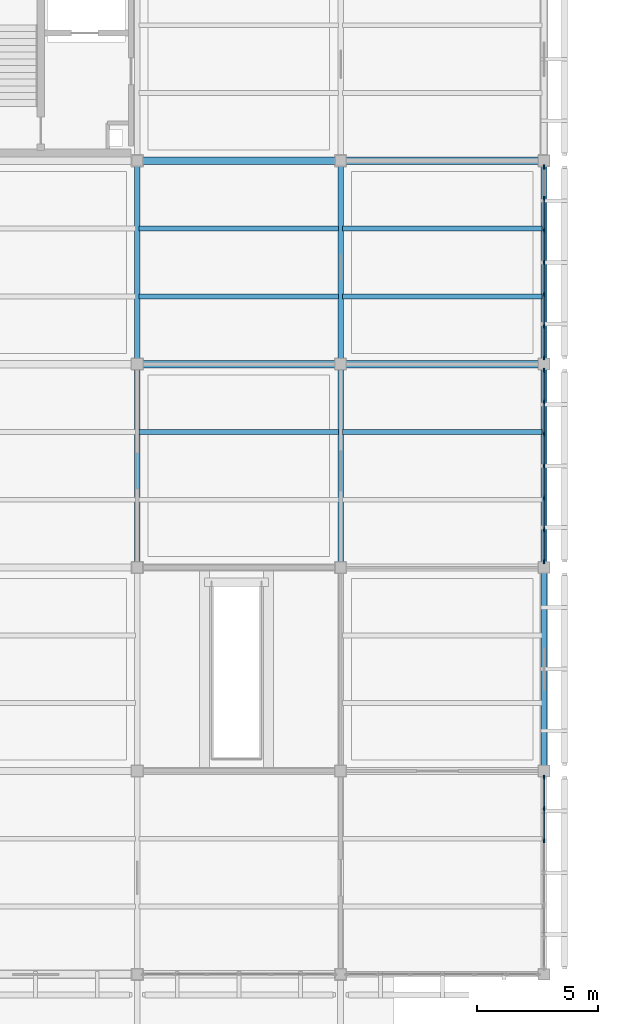
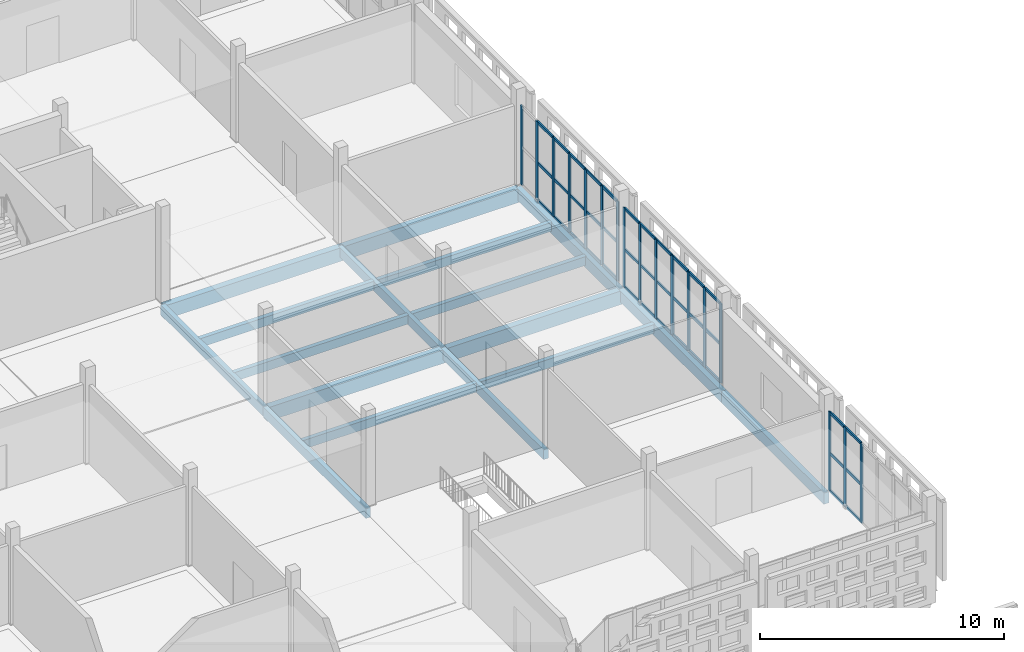
# One storey, part 81 of 203: 56 members, 17 beams, 3 elements without a shape of their own.
"""IFC4 building model written with IfcOpenShell, lengths in metres."""

from ifc_helpers import new_model, si_unit, direction, frame, origin, origin_2d, place, context, subcontext, project, spatial, rectangle, extrude, material, layer, layer_set, material_profile, profile_set, type_object, element, aggregate, save


model = new_model("IFC4")

# Units and contexts
model_context = context("Model", 3, precision=1e-05, world=origin(), true_north=direction((0.0, 1.0)))
body_context = subcontext(model_context, "Body", "Model", "MODEL_VIEW")
ifc_project = project(units=[si_unit("LENGTHUNIT", "METRE"), si_unit("AREAUNIT", "SQUARE_METRE"), si_unit("VOLUMEUNIT", "CUBIC_METRE"), si_unit("PLANEANGLEUNIT", "RADIAN"), si_unit("MASSUNIT", "GRAM", prefix="KILO")], contexts=[model_context])

# Site, building, storey
site_placement = place(None, origin())
site = spatial("IfcSite", under=ifc_project, at=site_placement, CompositionType="ELEMENT")
building_placement = place(site_placement, origin())
building = spatial("IfcBuilding", under=site, at=building_placement, Name="Varnapada Polytechnic", CompositionType="ELEMENT")
storey_placement = place(building_placement, frame((0.0, 0.0, 4.800048828125)))
storey = spatial("IfcBuildingStorey", under=building, at=storey_placement, Name="L01", CompositionType="ELEMENT", Elevation=4.800048828125)

# Beams
ifc_material_1 = material(Name="Glulam GL32h", Category="wood")
ifc_material_profile_1 = material_profile(ifc_material_1, rectangle(XDim=0.199951171875, YDim=0.43994140625, at=origin_2d()), Name="GL 200x440")
ifc_profile_set_1 = profile_set([ifc_material_profile_1], Name="Glulam GL32h")
beam_type_1 = type_object("IfcBeamType", Name="Heavy laboratory glulam joist GJ-03 (GL 200x440)", PredefinedType="JOIST", material=ifc_profile_set_1)
for number, where, z_axis, x_axis, name in (
    (1, (159.679931640625, 81.199951171875, -0.469970703125), (1.0, 0.0, 0.0), (0.0, 1.0, 0.0), "L01 floor joist 20/10.2"),
    (2, (159.679931640625, 86.800048828125, -0.469970703125), (1.0, 0.0, 0.0), (0.0, 1.0, 0.0), "L01 floor joist 20/11.1"),
    (3, (159.679931640625, 89.60009765625, -0.469970703125), (1.0, 0.0, 0.0), (0.0, 1.0, 0.0), "L01 floor joist 20/11.2"),
    (4, (168.080078125, 81.199951171875, -0.469970703125), (1.0, 0.0, 0.0), (0.0, 1.0, 0.0), "L01 floor joist 21/10.2"),
    (5, (168.080078125, 86.800048828125, -0.469970703125), (1.0, 0.0, 0.0), (0.0, 1.0, 0.0), "L01 floor joist 21/11.1"),
    (6, (168.080078125, 89.60009765625, -0.469970703125), (1.0, 0.0, 0.0), (0.0, 1.0, 0.0), "L01 floor joist 21/11.2"),
):
    element("IfcBeam", number, at=place(storey_placement, frame(where, z_axis=z_axis, x_axis=x_axis)), inside=storey, type_object=beam_type_1, Name=name, PredefinedType="JOIST", context=body_context, shape_type="SweptSolid", body=[
        extrude(rectangle(XDim=0.199951171875, YDim=0.43994140625, at=origin_2d()), origin(), (0.0, 0.0, 1.0), 8.239990234375),
    ])

# Curtain wall, members
ifc_material_2 = material(Name="Double low-E laminated glass", Category="glass")
ifc_layer = layer(ifc_material_2, 0.179931640625)
ifc_layer_set = layer_set([ifc_layer], Name="Double low-E laminated glass")
curtain_wall_type = type_object("IfcCurtainWallType", Name="Curtain Wall CW-04", PredefinedType="NOTDEFINED", material=ifc_layer_set)
curtain_wall_1_placement = place(storey_placement, origin())
curtain_wall_1 = element("IfcCurtainWall", 7, at=curtain_wall_1_placement, inside=storey, type_object=curtain_wall_type, Name="L01 unitised curtain wall CW-04 (122)", PredefinedType="NOTDEFINED")
ifc_material_3 = material(Name="Anodised aluminium", Category="aluminium")
ifc_material_profile_2 = material_profile(ifc_material_3, rectangle(XDim=0.06494140625, YDim=0.179931640625, at=origin_2d()), Name="ALU M65x180")
ifc_profile_set_2 = profile_set([ifc_material_profile_2], Name="Anodised aluminium")
member_type_1 = type_object("IfcMemberType", Name="Mullion M-02", PredefinedType="MULLION", material=ifc_profile_set_2)
member_1_placement = place(storey_placement, frame((176.39990234375, 66.9375, 0.0), z_axis=(0.0, 0.0, 1.0), x_axis=(1.0, 0.0, 0.0)))
member_1 = element("IfcMember", 8, at=member_1_placement, type_object=member_type_1, Name="CW-04 mullion 1", PredefinedType="MULLION", context=body_context, shape_type="SweptSolid", body=[
    extrude(rectangle(XDim=0.06494140625, YDim=0.179931640625, at=origin_2d()), origin(), (0.0, 0.0, 1.0), 3.9599609375),
])
member_2_placement = place(storey_placement, frame((176.39990234375, 65.64501953125, 0.0), z_axis=(0.0, 0.0, 1.0), x_axis=(1.0, 0.0, 0.0)))
member_2 = element("IfcMember", 9, at=member_2_placement, type_object=member_type_1, Name="CW-04 mullion 2", PredefinedType="MULLION", context=body_context, shape_type="SweptSolid", body=[
    extrude(rectangle(XDim=0.06494140625, YDim=0.179931640625, at=origin_2d()), origin(), (0.0, 0.0, 1.0), 3.9599609375),
])
member_3_placement = place(storey_placement, frame((176.39990234375, 64.320068359375, 0.0), z_axis=(0.0, 0.0, 1.0), x_axis=(1.0, 0.0, 0.0)))
member_3 = element("IfcMember", 10, at=member_3_placement, type_object=member_type_1, Name="CW-04 mullion 3", PredefinedType="MULLION", context=body_context, shape_type="SweptSolid", body=[
    extrude(rectangle(XDim=0.06494140625, YDim=0.179931640625, at=origin_2d()), origin(), (0.0, 0.0, 1.0), 3.9599609375),
])

curtain_wall_2_placement = place(storey_placement, origin())
curtain_wall_2 = element("IfcCurtainWall", 11, at=curtain_wall_2_placement, inside=storey, type_object=curtain_wall_type, Name="L01 unitised curtain wall CW-04 (123)", PredefinedType="NOTDEFINED")
member_4_placement = place(storey_placement, frame((176.39990234375, 83.737548828125, 0.0), z_axis=(0.0, 0.0, 1.0), x_axis=(1.0, 0.0, 0.0)))
member_4 = element("IfcMember", 12, at=member_4_placement, type_object=member_type_1, Name="CW-04 mullion 1", PredefinedType="MULLION", context=body_context, shape_type="SweptSolid", body=[
    extrude(rectangle(XDim=0.06494140625, YDim=0.179931640625, at=origin_2d()), origin(), (0.0, 0.0, 1.0), 3.9599609375),
])
member_5_placement = place(storey_placement, frame((176.39990234375, 82.445068359375, 0.0), z_axis=(0.0, 0.0, 1.0), x_axis=(1.0, 0.0, 0.0)))
member_5 = element("IfcMember", 13, at=member_5_placement, type_object=member_type_1, Name="CW-04 mullion 2", PredefinedType="MULLION", context=body_context, shape_type="SweptSolid", body=[
    extrude(rectangle(XDim=0.06494140625, YDim=0.179931640625, at=origin_2d()), origin(), (0.0, 0.0, 1.0), 3.9599609375),
])
member_6_placement = place(storey_placement, frame((176.39990234375, 81.1201171875, 0.0), z_axis=(0.0, 0.0, 1.0), x_axis=(1.0, 0.0, 0.0)))
member_6 = element("IfcMember", 14, at=member_6_placement, type_object=member_type_1, Name="CW-04 mullion 3", PredefinedType="MULLION", context=body_context, shape_type="SweptSolid", body=[
    extrude(rectangle(XDim=0.06494140625, YDim=0.179931640625, at=origin_2d()), origin(), (0.0, 0.0, 1.0), 3.9599609375),
])
member_7_placement = place(storey_placement, frame((176.39990234375, 79.794921875, 0.0), z_axis=(0.0, 0.0, 1.0), x_axis=(1.0, 0.0, 0.0)))
member_7 = element("IfcMember", 15, at=member_7_placement, type_object=member_type_1, Name="CW-04 mullion 4", PredefinedType="MULLION", context=body_context, shape_type="SweptSolid", body=[
    extrude(rectangle(XDim=0.06494140625, YDim=0.179931640625, at=origin_2d()), origin(), (0.0, 0.0, 1.0), 3.9599609375),
])
member_8_placement = place(storey_placement, frame((176.39990234375, 78.469970703125, 0.0), z_axis=(0.0, 0.0, 1.0), x_axis=(1.0, 0.0, 0.0)))
member_8 = element("IfcMember", 16, at=member_8_placement, type_object=member_type_1, Name="CW-04 mullion 5", PredefinedType="MULLION", context=body_context, shape_type="SweptSolid", body=[
    extrude(rectangle(XDim=0.06494140625, YDim=0.179931640625, at=origin_2d()), origin(), (0.0, 0.0, 1.0), 3.9599609375),
])
member_9_placement = place(storey_placement, frame((176.39990234375, 77.14501953125, 0.0), z_axis=(0.0, 0.0, 1.0), x_axis=(1.0, 0.0, 0.0)))
member_9 = element("IfcMember", 17, at=member_9_placement, type_object=member_type_1, Name="CW-04 mullion 6", PredefinedType="MULLION", context=body_context, shape_type="SweptSolid", body=[
    extrude(rectangle(XDim=0.06494140625, YDim=0.179931640625, at=origin_2d()), origin(), (0.0, 0.0, 1.0), 3.9599609375),
])
member_10_placement = place(storey_placement, frame((176.39990234375, 75.8525390625, 0.0), z_axis=(0.0, 0.0, 1.0), x_axis=(1.0, 0.0, 0.0)))
member_10 = element("IfcMember", 18, at=member_10_placement, type_object=member_type_1, Name="CW-04 mullion 7", PredefinedType="MULLION", context=body_context, shape_type="SweptSolid", body=[
    extrude(rectangle(XDim=0.06494140625, YDim=0.179931640625, at=origin_2d()), origin(), (0.0, 0.0, 1.0), 3.9599609375),
])

curtain_wall_3_placement = place(storey_placement, origin())
curtain_wall_3 = element("IfcCurtainWall", 19, at=curtain_wall_3_placement, inside=storey, type_object=curtain_wall_type, Name="L01 unitised curtain wall CW-04 (124)", PredefinedType="NOTDEFINED")
member_11_placement = place(storey_placement, frame((176.39990234375, 92.1474609375, 0.0), z_axis=(0.0, 0.0, 1.0), x_axis=(1.0, 0.0, 0.0)))
member_11 = element("IfcMember", 20, at=member_11_placement, type_object=member_type_1, Name="CW-04 mullion 1", PredefinedType="MULLION", context=body_context, shape_type="SweptSolid", body=[
    extrude(rectangle(XDim=0.06494140625, YDim=0.179931640625, at=origin_2d()), origin(), (0.0, 0.0, 1.0), 3.9599609375),
])
member_12_placement = place(storey_placement, frame((176.39990234375, 90.85498046875, 0.0), z_axis=(0.0, 0.0, 1.0), x_axis=(1.0, 0.0, 0.0)))
member_12 = element("IfcMember", 21, at=member_12_placement, type_object=member_type_1, Name="CW-04 mullion 2", PredefinedType="MULLION", context=body_context, shape_type="SweptSolid", body=[
    extrude(rectangle(XDim=0.06494140625, YDim=0.179931640625, at=origin_2d()), origin(), (0.0, 0.0, 1.0), 3.9599609375),
])
member_13_placement = place(storey_placement, frame((176.39990234375, 89.530029296875, 0.0), z_axis=(0.0, 0.0, 1.0), x_axis=(1.0, 0.0, 0.0)))
member_13 = element("IfcMember", 22, at=member_13_placement, type_object=member_type_1, Name="CW-04 mullion 3", PredefinedType="MULLION", context=body_context, shape_type="SweptSolid", body=[
    extrude(rectangle(XDim=0.06494140625, YDim=0.179931640625, at=origin_2d()), origin(), (0.0, 0.0, 1.0), 3.9599609375),
])
member_14_placement = place(storey_placement, frame((176.39990234375, 88.205078125, 0.0), z_axis=(0.0, 0.0, 1.0), x_axis=(1.0, 0.0, 0.0)))
member_14 = element("IfcMember", 23, at=member_14_placement, type_object=member_type_1, Name="CW-04 mullion 4", PredefinedType="MULLION", context=body_context, shape_type="SweptSolid", body=[
    extrude(rectangle(XDim=0.06494140625, YDim=0.179931640625, at=origin_2d()), origin(), (0.0, 0.0, 1.0), 3.9599609375),
])
member_15_placement = place(storey_placement, frame((176.39990234375, 86.8798828125, 0.0), z_axis=(0.0, 0.0, 1.0), x_axis=(1.0, 0.0, 0.0)))
member_15 = element("IfcMember", 24, at=member_15_placement, type_object=member_type_1, Name="CW-04 mullion 5", PredefinedType="MULLION", context=body_context, shape_type="SweptSolid", body=[
    extrude(rectangle(XDim=0.06494140625, YDim=0.179931640625, at=origin_2d()), origin(), (0.0, 0.0, 1.0), 3.9599609375),
])
member_16_placement = place(storey_placement, frame((176.39990234375, 85.554931640625, 0.0), z_axis=(0.0, 0.0, 1.0), x_axis=(1.0, 0.0, 0.0)))
member_16 = element("IfcMember", 25, at=member_16_placement, type_object=member_type_1, Name="CW-04 mullion 6", PredefinedType="MULLION", context=body_context, shape_type="SweptSolid", body=[
    extrude(rectangle(XDim=0.06494140625, YDim=0.179931640625, at=origin_2d()), origin(), (0.0, 0.0, 1.0), 3.9599609375),
])
member_17_placement = place(storey_placement, frame((176.39990234375, 84.262451171875, 0.0), z_axis=(0.0, 0.0, 1.0), x_axis=(1.0, 0.0, 0.0)))
member_17 = element("IfcMember", 26, at=member_17_placement, type_object=member_type_1, Name="CW-04 mullion 7", PredefinedType="MULLION", context=body_context, shape_type="SweptSolid", body=[
    extrude(rectangle(XDim=0.06494140625, YDim=0.179931640625, at=origin_2d()), origin(), (0.0, 0.0, 1.0), 3.9599609375),
])

# Beams
ifc_material_profile_3 = material_profile(ifc_material_1, rectangle(XDim=0.239990234375, YDim=0.56005859375, at=origin_2d()), Name="GL 240x560")
ifc_profile_set_3 = profile_set([ifc_material_profile_3], Name="Glulam GL32h")
beam_type_2 = type_object("IfcBeamType", Name="Perimeter glulam spandrel beam SP-02 (GL 240x560)", PredefinedType="SPANDREL", material=ifc_profile_set_3)
beam_placement = place(storey_placement, frame((176.39990234375, 67.199951171875, -0.530029296875), z_axis=(0.0, 1.0, 0.0), x_axis=(-1.0, 0.0, 0.0)))
element("IfcBeam", 27, at=beam_placement, inside=storey, type_object=beam_type_2, Name="L01 beam Y 9-10 at X22", PredefinedType="SPANDREL", context=body_context, shape_type="SweptSolid", body=[
    extrude(rectangle(XDim=0.239990234375, YDim=0.56005859375, at=origin_2d()), origin(), (0.0, 0.0, 1.0), 8.400146484375),
])
for number, where, z_axis, x_axis, name in (
    (28, (176.39990234375, 75.60009765625, -0.530029296875), (0.0, 1.0, 0.0), (-1.0, 0.0, 0.0), "L01 beam Y 10-11 at X22"),
    (29, (176.39990234375, 84.0, -0.530029296875), (0.0, 1.0, 0.0), (-1.0, 0.0, 0.0), "L01 beam Y 11-12 at X22"),
):
    element("IfcBeam", number, at=place(storey_placement, frame(where, z_axis=z_axis, x_axis=x_axis)), inside=storey, type_object=beam_type_2, Name=name, PredefinedType="SPANDREL", context=body_context, shape_type="SweptSolid", body=[
        extrude(rectangle(XDim=0.239990234375, YDim=0.56005859375, at=origin_2d()), origin(), (0.0, 0.0, 1.0), 8.39990234375),
    ])

# Member
ifc_material_profile_4 = material_profile(ifc_material_3, rectangle(XDim=0.06494140625, YDim=0.139892578125, at=origin_2d()), Name="ALU T65x140")
ifc_profile_set_4 = profile_set([ifc_material_profile_4], Name="Anodised aluminium")
member_type_2 = type_object("IfcMemberType", Name="Transom T-02", PredefinedType="USERDEFINED", material=ifc_profile_set_4)
member_18_placement = place(storey_placement, frame((176.39990234375, 66.905029296875, 0.032470703125), z_axis=(0.0, -1.0, 0.0), x_axis=(1.0, 0.0, 0.0)))
member_18 = element("IfcMember", 30, at=member_18_placement, type_object=member_type_2, Name="CW-04 transom 1.1", ObjectType="TRANSOM", PredefinedType="USERDEFINED", context=body_context, shape_type="SweptSolid", body=[
    extrude(rectangle(XDim=0.06494140625, YDim=0.139892578125, at=origin_2d()), origin(), (0.0, 0.0, 1.0), 1.2275390625),
])

member_19_placement = place(storey_placement, frame((176.39990234375, 66.905029296875, 1.900634765625), z_axis=(0.0, -1.0, 0.0), x_axis=(1.0, 0.0, 0.0)))
member_19 = element("IfcMember", 31, at=member_19_placement, type_object=member_type_2, Name="CW-04 transom 1.2", ObjectType="TRANSOM", PredefinedType="USERDEFINED", context=body_context, shape_type="SweptSolid", body=[
    extrude(rectangle(XDim=0.06494140625, YDim=0.139892578125, at=origin_2d()), origin(), (0.0, 0.0, 1.0), 1.2275390625),
])

member_20_placement = place(storey_placement, frame((176.39990234375, 66.905029296875, 3.927490234375), z_axis=(0.0, -1.0, 0.0), x_axis=(1.0, 0.0, 0.0)))
member_20 = element("IfcMember", 32, at=member_20_placement, type_object=member_type_2, Name="CW-04 transom 1.3", ObjectType="TRANSOM", PredefinedType="USERDEFINED", context=body_context, shape_type="SweptSolid", body=[
    extrude(rectangle(XDim=0.06494140625, YDim=0.139892578125, at=origin_2d()), origin(), (0.0, 0.0, 1.0), 1.2275390625),
])

member_21_placement = place(storey_placement, frame((176.39990234375, 65.612548828125, 0.032470703125), z_axis=(0.0, -1.0, 0.0), x_axis=(1.0, 0.0, 0.0)))
member_21 = element("IfcMember", 33, at=member_21_placement, type_object=member_type_2, Name="CW-04 transom 2.1", ObjectType="TRANSOM", PredefinedType="USERDEFINED", context=body_context, shape_type="SweptSolid", body=[
    extrude(rectangle(XDim=0.06494140625, YDim=0.139892578125, at=origin_2d()), origin(), (0.0, 0.0, 1.0), 1.260009765625),
])

member_22_placement = place(storey_placement, frame((176.39990234375, 65.612548828125, 1.900634765625), z_axis=(0.0, -1.0, 0.0), x_axis=(1.0, 0.0, 0.0)))
member_22 = element("IfcMember", 34, at=member_22_placement, type_object=member_type_2, Name="CW-04 transom 2.2", ObjectType="TRANSOM", PredefinedType="USERDEFINED", context=body_context, shape_type="SweptSolid", body=[
    extrude(rectangle(XDim=0.06494140625, YDim=0.139892578125, at=origin_2d()), origin(), (0.0, 0.0, 1.0), 1.260009765625),
])

member_23_placement = place(storey_placement, frame((176.39990234375, 65.612548828125, 3.927490234375), z_axis=(0.0, -1.0, 0.0), x_axis=(1.0, 0.0, 0.0)))
member_23 = element("IfcMember", 35, at=member_23_placement, type_object=member_type_2, Name="CW-04 transom 2.3", ObjectType="TRANSOM", PredefinedType="USERDEFINED", context=body_context, shape_type="SweptSolid", body=[
    extrude(rectangle(XDim=0.06494140625, YDim=0.139892578125, at=origin_2d()), origin(), (0.0, 0.0, 1.0), 1.260009765625),
])

aggregate(curtain_wall_1, [member_1, member_2, member_3, member_18, member_19, member_20, member_21, member_22, member_23])

member_24_placement = place(storey_placement, frame((176.39990234375, 83.705078125, 0.032470703125), z_axis=(0.0, -1.0, 0.0), x_axis=(1.0, 0.0, 0.0)))
member_24 = element("IfcMember", 36, at=member_24_placement, type_object=member_type_2, Name="CW-04 transom 1.1", ObjectType="TRANSOM", PredefinedType="USERDEFINED", context=body_context, shape_type="SweptSolid", body=[
    extrude(rectangle(XDim=0.06494140625, YDim=0.139892578125, at=origin_2d()), origin(), (0.0, 0.0, 1.0), 1.2275390625),
])

member_25_placement = place(storey_placement, frame((176.39990234375, 83.705078125, 1.900634765625), z_axis=(0.0, -1.0, 0.0), x_axis=(1.0, 0.0, 0.0)))
member_25 = element("IfcMember", 37, at=member_25_placement, type_object=member_type_2, Name="CW-04 transom 1.2", ObjectType="TRANSOM", PredefinedType="USERDEFINED", context=body_context, shape_type="SweptSolid", body=[
    extrude(rectangle(XDim=0.06494140625, YDim=0.139892578125, at=origin_2d()), origin(), (0.0, 0.0, 1.0), 1.2275390625),
])

member_26_placement = place(storey_placement, frame((176.39990234375, 83.705078125, 3.927490234375), z_axis=(0.0, -1.0, 0.0), x_axis=(1.0, 0.0, 0.0)))
member_26 = element("IfcMember", 38, at=member_26_placement, type_object=member_type_2, Name="CW-04 transom 1.3", ObjectType="TRANSOM", PredefinedType="USERDEFINED", context=body_context, shape_type="SweptSolid", body=[
    extrude(rectangle(XDim=0.06494140625, YDim=0.139892578125, at=origin_2d()), origin(), (0.0, 0.0, 1.0), 1.2275390625),
])

member_27_placement = place(storey_placement, frame((176.39990234375, 82.41259765625, 0.032470703125), z_axis=(0.0, -1.0, 0.0), x_axis=(1.0, 0.0, 0.0)))
member_27 = element("IfcMember", 39, at=member_27_placement, type_object=member_type_2, Name="CW-04 transom 2.1", ObjectType="TRANSOM", PredefinedType="USERDEFINED", context=body_context, shape_type="SweptSolid", body=[
    extrude(rectangle(XDim=0.06494140625, YDim=0.139892578125, at=origin_2d()), origin(), (0.0, 0.0, 1.0), 1.260009765625),
])

member_28_placement = place(storey_placement, frame((176.39990234375, 82.41259765625, 1.900634765625), z_axis=(0.0, -1.0, 0.0), x_axis=(1.0, 0.0, 0.0)))
member_28 = element("IfcMember", 40, at=member_28_placement, type_object=member_type_2, Name="CW-04 transom 2.2", ObjectType="TRANSOM", PredefinedType="USERDEFINED", context=body_context, shape_type="SweptSolid", body=[
    extrude(rectangle(XDim=0.06494140625, YDim=0.139892578125, at=origin_2d()), origin(), (0.0, 0.0, 1.0), 1.260009765625),
])

member_29_placement = place(storey_placement, frame((176.39990234375, 82.41259765625, 3.927490234375), z_axis=(0.0, -1.0, 0.0), x_axis=(1.0, 0.0, 0.0)))
member_29 = element("IfcMember", 41, at=member_29_placement, type_object=member_type_2, Name="CW-04 transom 2.3", ObjectType="TRANSOM", PredefinedType="USERDEFINED", context=body_context, shape_type="SweptSolid", body=[
    extrude(rectangle(XDim=0.06494140625, YDim=0.139892578125, at=origin_2d()), origin(), (0.0, 0.0, 1.0), 1.260009765625),
])

member_30_placement = place(storey_placement, frame((176.39990234375, 81.08740234375, 0.032470703125), z_axis=(0.0, -1.0, 0.0), x_axis=(1.0, 0.0, 0.0)))
member_30 = element("IfcMember", 42, at=member_30_placement, type_object=member_type_2, Name="CW-04 transom 3.1", ObjectType="TRANSOM", PredefinedType="USERDEFINED", context=body_context, shape_type="SweptSolid", body=[
    extrude(rectangle(XDim=0.06494140625, YDim=0.139892578125, at=origin_2d()), origin(), (0.0, 0.0, 1.0), 1.260009765625),
])

member_31_placement = place(storey_placement, frame((176.39990234375, 81.08740234375, 1.900634765625), z_axis=(0.0, -1.0, 0.0), x_axis=(1.0, 0.0, 0.0)))
member_31 = element("IfcMember", 43, at=member_31_placement, type_object=member_type_2, Name="CW-04 transom 3.2", ObjectType="TRANSOM", PredefinedType="USERDEFINED", context=body_context, shape_type="SweptSolid", body=[
    extrude(rectangle(XDim=0.06494140625, YDim=0.139892578125, at=origin_2d()), origin(), (0.0, 0.0, 1.0), 1.260009765625),
])

member_32_placement = place(storey_placement, frame((176.39990234375, 81.08740234375, 3.927490234375), z_axis=(0.0, -1.0, 0.0), x_axis=(1.0, 0.0, 0.0)))
member_32 = element("IfcMember", 44, at=member_32_placement, type_object=member_type_2, Name="CW-04 transom 3.3", ObjectType="TRANSOM", PredefinedType="USERDEFINED", context=body_context, shape_type="SweptSolid", body=[
    extrude(rectangle(XDim=0.06494140625, YDim=0.139892578125, at=origin_2d()), origin(), (0.0, 0.0, 1.0), 1.260009765625),
])

member_33_placement = place(storey_placement, frame((176.39990234375, 79.762451171875, 0.032470703125), z_axis=(0.0, -1.0, 0.0), x_axis=(1.0, 0.0, 0.0)))
member_33 = element("IfcMember", 45, at=member_33_placement, type_object=member_type_2, Name="CW-04 transom 4.1", ObjectType="TRANSOM", PredefinedType="USERDEFINED", context=body_context, shape_type="SweptSolid", body=[
    extrude(rectangle(XDim=0.06494140625, YDim=0.139892578125, at=origin_2d()), origin(), (0.0, 0.0, 1.0), 1.260009765625),
])

member_34_placement = place(storey_placement, frame((176.39990234375, 79.762451171875, 1.900634765625), z_axis=(0.0, -1.0, 0.0), x_axis=(1.0, 0.0, 0.0)))
member_34 = element("IfcMember", 46, at=member_34_placement, type_object=member_type_2, Name="CW-04 transom 4.2", ObjectType="TRANSOM", PredefinedType="USERDEFINED", context=body_context, shape_type="SweptSolid", body=[
    extrude(rectangle(XDim=0.06494140625, YDim=0.139892578125, at=origin_2d()), origin(), (0.0, 0.0, 1.0), 1.260009765625),
])

member_35_placement = place(storey_placement, frame((176.39990234375, 79.762451171875, 3.927490234375), z_axis=(0.0, -1.0, 0.0), x_axis=(1.0, 0.0, 0.0)))
member_35 = element("IfcMember", 47, at=member_35_placement, type_object=member_type_2, Name="CW-04 transom 4.3", ObjectType="TRANSOM", PredefinedType="USERDEFINED", context=body_context, shape_type="SweptSolid", body=[
    extrude(rectangle(XDim=0.06494140625, YDim=0.139892578125, at=origin_2d()), origin(), (0.0, 0.0, 1.0), 1.260009765625),
])

member_36_placement = place(storey_placement, frame((176.39990234375, 78.4375, 0.032470703125), z_axis=(0.0, -1.0, 0.0), x_axis=(1.0, 0.0, 0.0)))
member_36 = element("IfcMember", 48, at=member_36_placement, type_object=member_type_2, Name="CW-04 transom 5.1", ObjectType="TRANSOM", PredefinedType="USERDEFINED", context=body_context, shape_type="SweptSolid", body=[
    extrude(rectangle(XDim=0.06494140625, YDim=0.139892578125, at=origin_2d()), origin(), (0.0, 0.0, 1.0), 1.260009765625),
])

member_37_placement = place(storey_placement, frame((176.39990234375, 78.4375, 1.900634765625), z_axis=(0.0, -1.0, 0.0), x_axis=(1.0, 0.0, 0.0)))
member_37 = element("IfcMember", 49, at=member_37_placement, type_object=member_type_2, Name="CW-04 transom 5.2", ObjectType="TRANSOM", PredefinedType="USERDEFINED", context=body_context, shape_type="SweptSolid", body=[
    extrude(rectangle(XDim=0.06494140625, YDim=0.139892578125, at=origin_2d()), origin(), (0.0, 0.0, 1.0), 1.260009765625),
])

member_38_placement = place(storey_placement, frame((176.39990234375, 78.4375, 3.927490234375), z_axis=(0.0, -1.0, 0.0), x_axis=(1.0, 0.0, 0.0)))
member_38 = element("IfcMember", 50, at=member_38_placement, type_object=member_type_2, Name="CW-04 transom 5.3", ObjectType="TRANSOM", PredefinedType="USERDEFINED", context=body_context, shape_type="SweptSolid", body=[
    extrude(rectangle(XDim=0.06494140625, YDim=0.139892578125, at=origin_2d()), origin(), (0.0, 0.0, 1.0), 1.260009765625),
])

member_39_placement = place(storey_placement, frame((176.39990234375, 77.112548828125, 0.032470703125), z_axis=(0.0, -1.0, 0.0), x_axis=(1.0, 0.0, 0.0)))
member_39 = element("IfcMember", 51, at=member_39_placement, type_object=member_type_2, Name="CW-04 transom 6.1", ObjectType="TRANSOM", PredefinedType="USERDEFINED", context=body_context, shape_type="SweptSolid", body=[
    extrude(rectangle(XDim=0.06494140625, YDim=0.139892578125, at=origin_2d()), origin(), (0.0, 0.0, 1.0), 1.2275390625),
])

member_40_placement = place(storey_placement, frame((176.39990234375, 77.112548828125, 1.900634765625), z_axis=(0.0, -1.0, 0.0), x_axis=(1.0, 0.0, 0.0)))
member_40 = element("IfcMember", 52, at=member_40_placement, type_object=member_type_2, Name="CW-04 transom 6.2", ObjectType="TRANSOM", PredefinedType="USERDEFINED", context=body_context, shape_type="SweptSolid", body=[
    extrude(rectangle(XDim=0.06494140625, YDim=0.139892578125, at=origin_2d()), origin(), (0.0, 0.0, 1.0), 1.2275390625),
])

member_41_placement = place(storey_placement, frame((176.39990234375, 77.112548828125, 3.927490234375), z_axis=(0.0, -1.0, 0.0), x_axis=(1.0, 0.0, 0.0)))
member_41 = element("IfcMember", 53, at=member_41_placement, type_object=member_type_2, Name="CW-04 transom 6.3", ObjectType="TRANSOM", PredefinedType="USERDEFINED", context=body_context, shape_type="SweptSolid", body=[
    extrude(rectangle(XDim=0.06494140625, YDim=0.139892578125, at=origin_2d()), origin(), (0.0, 0.0, 1.0), 1.2275390625),
])

aggregate(curtain_wall_2, [member_4, member_5, member_6, member_7, member_8, member_9, member_10, member_24, member_25, member_26, member_27, member_28, member_29, member_30, member_31, member_32, member_33, member_34, member_35, member_36, member_37, member_38, member_39, member_40, member_41])

member_42_placement = place(storey_placement, frame((176.39990234375, 90.822509765625, 0.032470703125), z_axis=(0.0, -1.0, 0.0), x_axis=(1.0, 0.0, 0.0)))
member_42 = element("IfcMember", 54, at=member_42_placement, type_object=member_type_2, Name="CW-04 transom 2.1", ObjectType="TRANSOM", PredefinedType="USERDEFINED", context=body_context, shape_type="SweptSolid", body=[
    extrude(rectangle(XDim=0.06494140625, YDim=0.139892578125, at=origin_2d()), origin(), (0.0, 0.0, 1.0), 1.260009765625),
])

member_43_placement = place(storey_placement, frame((176.39990234375, 90.822509765625, 1.900634765625), z_axis=(0.0, -1.0, 0.0), x_axis=(1.0, 0.0, 0.0)))
member_43 = element("IfcMember", 55, at=member_43_placement, type_object=member_type_2, Name="CW-04 transom 2.2", ObjectType="TRANSOM", PredefinedType="USERDEFINED", context=body_context, shape_type="SweptSolid", body=[
    extrude(rectangle(XDim=0.06494140625, YDim=0.139892578125, at=origin_2d()), origin(), (0.0, 0.0, 1.0), 1.260009765625),
])

member_44_placement = place(storey_placement, frame((176.39990234375, 90.822509765625, 3.927490234375), z_axis=(0.0, -1.0, 0.0), x_axis=(1.0, 0.0, 0.0)))
member_44 = element("IfcMember", 56, at=member_44_placement, type_object=member_type_2, Name="CW-04 transom 2.3", ObjectType="TRANSOM", PredefinedType="USERDEFINED", context=body_context, shape_type="SweptSolid", body=[
    extrude(rectangle(XDim=0.06494140625, YDim=0.139892578125, at=origin_2d()), origin(), (0.0, 0.0, 1.0), 1.260009765625),
])

member_45_placement = place(storey_placement, frame((176.39990234375, 89.49755859375, 0.032470703125), z_axis=(0.0, -1.0, 0.0), x_axis=(1.0, 0.0, 0.0)))
member_45 = element("IfcMember", 57, at=member_45_placement, type_object=member_type_2, Name="CW-04 transom 3.1", ObjectType="TRANSOM", PredefinedType="USERDEFINED", context=body_context, shape_type="SweptSolid", body=[
    extrude(rectangle(XDim=0.06494140625, YDim=0.139892578125, at=origin_2d()), origin(), (0.0, 0.0, 1.0), 1.260009765625),
])

member_46_placement = place(storey_placement, frame((176.39990234375, 89.49755859375, 1.900634765625), z_axis=(0.0, -1.0, 0.0), x_axis=(1.0, 0.0, 0.0)))
member_46 = element("IfcMember", 58, at=member_46_placement, type_object=member_type_2, Name="CW-04 transom 3.2", ObjectType="TRANSOM", PredefinedType="USERDEFINED", context=body_context, shape_type="SweptSolid", body=[
    extrude(rectangle(XDim=0.06494140625, YDim=0.139892578125, at=origin_2d()), origin(), (0.0, 0.0, 1.0), 1.260009765625),
])

member_47_placement = place(storey_placement, frame((176.39990234375, 89.49755859375, 3.927490234375), z_axis=(0.0, -1.0, 0.0), x_axis=(1.0, 0.0, 0.0)))
member_47 = element("IfcMember", 59, at=member_47_placement, type_object=member_type_2, Name="CW-04 transom 3.3", ObjectType="TRANSOM", PredefinedType="USERDEFINED", context=body_context, shape_type="SweptSolid", body=[
    extrude(rectangle(XDim=0.06494140625, YDim=0.139892578125, at=origin_2d()), origin(), (0.0, 0.0, 1.0), 1.260009765625),
])

member_48_placement = place(storey_placement, frame((176.39990234375, 88.172607421875, 0.032470703125), z_axis=(0.0, -1.0, 0.0), x_axis=(1.0, 0.0, 0.0)))
member_48 = element("IfcMember", 60, at=member_48_placement, type_object=member_type_2, Name="CW-04 transom 4.1", ObjectType="TRANSOM", PredefinedType="USERDEFINED", context=body_context, shape_type="SweptSolid", body=[
    extrude(rectangle(XDim=0.06494140625, YDim=0.139892578125, at=origin_2d()), origin(), (0.0, 0.0, 1.0), 1.260009765625),
])

member_49_placement = place(storey_placement, frame((176.39990234375, 88.172607421875, 1.900634765625), z_axis=(0.0, -1.0, 0.0), x_axis=(1.0, 0.0, 0.0)))
member_49 = element("IfcMember", 61, at=member_49_placement, type_object=member_type_2, Name="CW-04 transom 4.2", ObjectType="TRANSOM", PredefinedType="USERDEFINED", context=body_context, shape_type="SweptSolid", body=[
    extrude(rectangle(XDim=0.06494140625, YDim=0.139892578125, at=origin_2d()), origin(), (0.0, 0.0, 1.0), 1.260009765625),
])

member_50_placement = place(storey_placement, frame((176.39990234375, 88.172607421875, 3.927490234375), z_axis=(0.0, -1.0, 0.0), x_axis=(1.0, 0.0, 0.0)))
member_50 = element("IfcMember", 62, at=member_50_placement, type_object=member_type_2, Name="CW-04 transom 4.3", ObjectType="TRANSOM", PredefinedType="USERDEFINED", context=body_context, shape_type="SweptSolid", body=[
    extrude(rectangle(XDim=0.06494140625, YDim=0.139892578125, at=origin_2d()), origin(), (0.0, 0.0, 1.0), 1.260009765625),
])

member_51_placement = place(storey_placement, frame((176.39990234375, 86.847412109375, 0.032470703125), z_axis=(0.0, -1.0, 0.0), x_axis=(1.0, 0.0, 0.0)))
member_51 = element("IfcMember", 63, at=member_51_placement, type_object=member_type_2, Name="CW-04 transom 5.1", ObjectType="TRANSOM", PredefinedType="USERDEFINED", context=body_context, shape_type="SweptSolid", body=[
    extrude(rectangle(XDim=0.06494140625, YDim=0.139892578125, at=origin_2d()), origin(), (0.0, 0.0, 1.0), 1.260009765625),
])

member_52_placement = place(storey_placement, frame((176.39990234375, 86.847412109375, 1.900634765625), z_axis=(0.0, -1.0, 0.0), x_axis=(1.0, 0.0, 0.0)))
member_52 = element("IfcMember", 64, at=member_52_placement, type_object=member_type_2, Name="CW-04 transom 5.2", ObjectType="TRANSOM", PredefinedType="USERDEFINED", context=body_context, shape_type="SweptSolid", body=[
    extrude(rectangle(XDim=0.06494140625, YDim=0.139892578125, at=origin_2d()), origin(), (0.0, 0.0, 1.0), 1.260009765625),
])

member_53_placement = place(storey_placement, frame((176.39990234375, 86.847412109375, 3.927490234375), z_axis=(0.0, -1.0, 0.0), x_axis=(1.0, 0.0, 0.0)))
member_53 = element("IfcMember", 65, at=member_53_placement, type_object=member_type_2, Name="CW-04 transom 5.3", ObjectType="TRANSOM", PredefinedType="USERDEFINED", context=body_context, shape_type="SweptSolid", body=[
    extrude(rectangle(XDim=0.06494140625, YDim=0.139892578125, at=origin_2d()), origin(), (0.0, 0.0, 1.0), 1.260009765625),
])

member_54_placement = place(storey_placement, frame((176.39990234375, 85.5224609375, 0.032470703125), z_axis=(0.0, -1.0, 0.0), x_axis=(1.0, 0.0, 0.0)))
member_54 = element("IfcMember", 66, at=member_54_placement, type_object=member_type_2, Name="CW-04 transom 6.1", ObjectType="TRANSOM", PredefinedType="USERDEFINED", context=body_context, shape_type="SweptSolid", body=[
    extrude(rectangle(XDim=0.06494140625, YDim=0.139892578125, at=origin_2d()), origin(), (0.0, 0.0, 1.0), 1.2275390625),
])

member_55_placement = place(storey_placement, frame((176.39990234375, 85.5224609375, 1.900634765625), z_axis=(0.0, -1.0, 0.0), x_axis=(1.0, 0.0, 0.0)))
member_55 = element("IfcMember", 67, at=member_55_placement, type_object=member_type_2, Name="CW-04 transom 6.2", ObjectType="TRANSOM", PredefinedType="USERDEFINED", context=body_context, shape_type="SweptSolid", body=[
    extrude(rectangle(XDim=0.06494140625, YDim=0.139892578125, at=origin_2d()), origin(), (0.0, 0.0, 1.0), 1.2275390625),
])

member_56_placement = place(storey_placement, frame((176.39990234375, 85.5224609375, 3.927490234375), z_axis=(0.0, -1.0, 0.0), x_axis=(1.0, 0.0, 0.0)))
member_56 = element("IfcMember", 68, at=member_56_placement, type_object=member_type_2, Name="CW-04 transom 6.3", ObjectType="TRANSOM", PredefinedType="USERDEFINED", context=body_context, shape_type="SweptSolid", body=[
    extrude(rectangle(XDim=0.06494140625, YDim=0.139892578125, at=origin_2d()), origin(), (0.0, 0.0, 1.0), 1.2275390625),
])

aggregate(curtain_wall_3, [member_11, member_12, member_13, member_14, member_15, member_16, member_17, member_42, member_43, member_44, member_45, member_46, member_47, member_48, member_49, member_50, member_51, member_52, member_53, member_54, member_55, member_56])

# Beams
ifc_material_profile_5 = material_profile(ifc_material_1, rectangle(XDim=0.219970703125, YDim=0.47998046875, at=origin_2d()), Name="GL 220x480")
ifc_profile_set_5 = profile_set([ifc_material_profile_5], Name="Glulam GL32h")
beam_type_3 = type_object("IfcBeamType", Name="Upper floor glulam tie beam GB-11 (GL 220x480)", PredefinedType="BEAM", material=ifc_profile_set_5)
for number, where, z_axis, x_axis, name in (
    (69, (159.60009765625, 75.60009765625, -0.489990234375), (0.0, 1.0, 0.0), (-1.0, 0.0, 0.0), "L01 beam Y 10-11 at X20"),
    (70, (159.60009765625, 84.0, -0.489990234375), (0.0, 1.0, 0.0), (-1.0, 0.0, 0.0), "L01 beam Y 11-12 at X20"),
    (71, (168.0, 75.60009765625, -0.489990234375), (0.0, 1.0, 0.0), (-1.0, 0.0, 0.0), "L01 beam Y 10-11 at X21"),
    (72, (168.0, 84.0, -0.489990234375), (0.0, 1.0, 0.0), (-1.0, 0.0, 0.0), "L01 beam Y 11-12 at X21"),
):
    element("IfcBeam", number, at=place(storey_placement, frame(where, z_axis=z_axis, x_axis=x_axis)), inside=storey, type_object=beam_type_3, Name=name, PredefinedType="BEAM", context=body_context, shape_type="SweptSolid", body=[
        extrude(rectangle(XDim=0.219970703125, YDim=0.47998046875, at=origin_2d()), origin(), (0.0, 0.0, 1.0), 8.39990234375),
    ])
ifc_material_profile_6 = material_profile(ifc_material_1, rectangle(XDim=0.300048828125, YDim=0.679931640625, at=origin_2d()), Name="GL 300x680")
ifc_profile_set_6 = profile_set([ifc_material_profile_6], Name="Glulam GL32h")
beam_type_4 = type_object("IfcBeamType", Name="Wet laboratory glulam girder GG-04 (GL 300x680)", PredefinedType="BEAM", material=ifc_profile_set_6)
for number, where, z_axis, x_axis, name in (
    (73, (159.60009765625, 84.0, -0.590087890625), (1.0, 0.0, 0.0), (0.0, 1.0, 0.0), "L01 beam X 20-21 at Y11"),
    (74, (159.60009765625, 92.39990234375, -0.590087890625), (1.0, 0.0, 0.0), (0.0, 1.0, 0.0), "L01 beam X 20-21 at Y12"),
    (75, (168.0, 84.0, -0.590087890625), (1.0, 0.0, 0.0), (0.0, 1.0, 0.0), "L01 beam X 21-22 at Y11"),
    (76, (168.0, 92.39990234375, -0.590087890625), (1.0, 0.0, 0.0), (0.0, 1.0, 0.0), "L01 beam X 21-22 at Y12"),
):
    element("IfcBeam", number, at=place(storey_placement, frame(where, z_axis=z_axis, x_axis=x_axis)), inside=storey, type_object=beam_type_4, Name=name, PredefinedType="BEAM", context=body_context, shape_type="SweptSolid", body=[
        extrude(rectangle(XDim=0.300048828125, YDim=0.679931640625, at=origin_2d()), origin(), (0.0, 0.0, 1.0), 8.39990234375),
    ])

save(model, "model.ifc")
